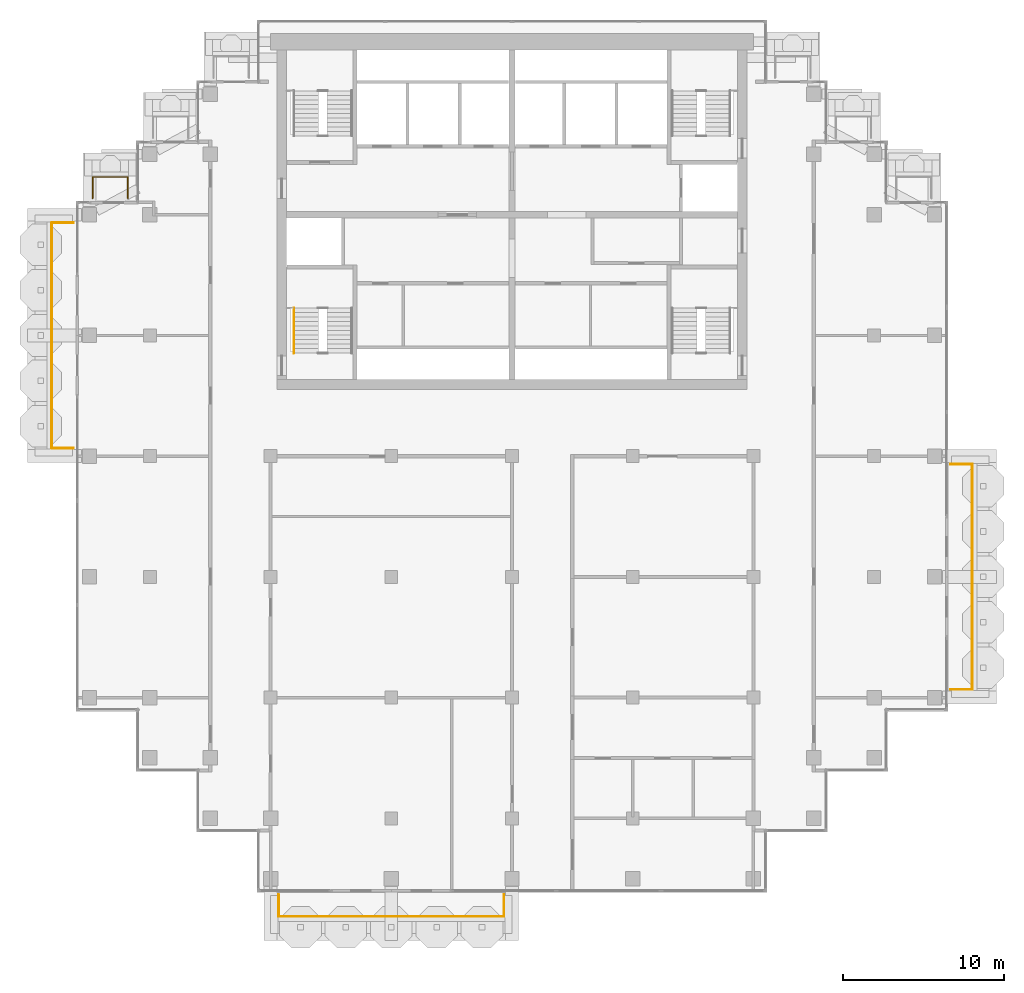
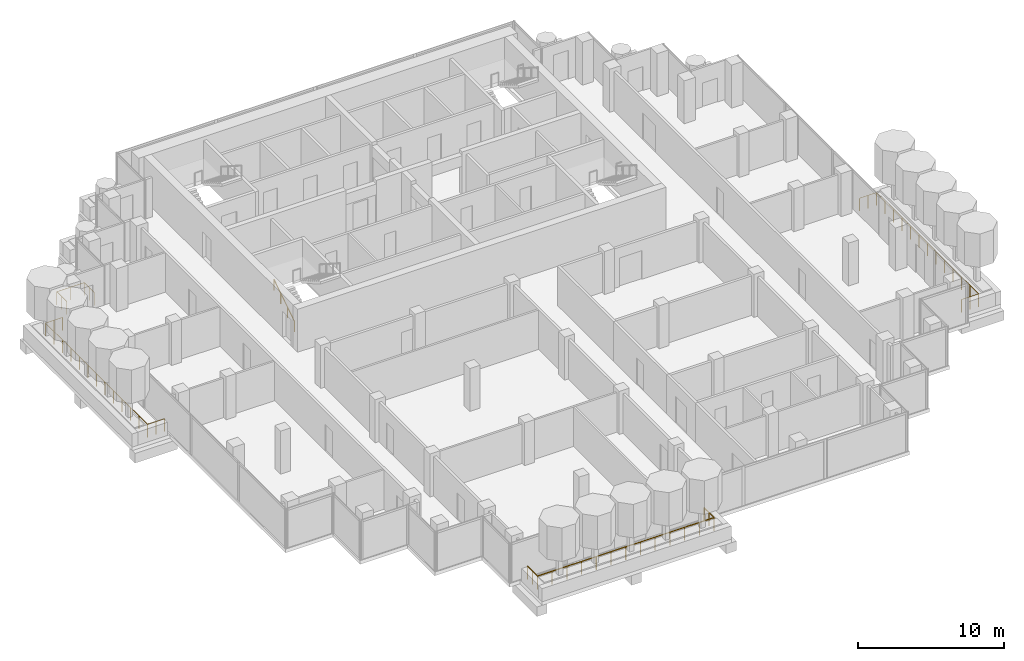
# One storey, part 16 of 18: 5 railings.
"""IFC4 building model written with IfcOpenShell, lengths in metres."""

from ifc_helpers import new_model, si_unit, direction, frame, origin, origin_2d, place, context, subcontext, project, spatial, circle, extrude, material, type_object, element, save


model = new_model("IFC4")

# Units and contexts
model_context = context("Model", 3, precision=1e-05, world=origin(), true_north=direction((0.0, 1.0)))
body_context = subcontext(model_context, "Body", "Model", "MODEL_VIEW")
ifc_project = project(units=[si_unit("LENGTHUNIT", "METRE"), si_unit("AREAUNIT", "SQUARE_METRE"), si_unit("VOLUMEUNIT", "CUBIC_METRE"), si_unit("PLANEANGLEUNIT", "RADIAN"), si_unit("MASSUNIT", "GRAM", prefix="KILO")], contexts=[model_context])

# Site, building, storey
site_placement = place(None, origin())
site = spatial("IfcSite", under=ifc_project, at=site_placement, CompositionType="ELEMENT")
building_placement = place(site_placement, origin())
building = spatial("IfcBuilding", under=site, at=building_placement, Name="Pilkhan Gate Tower", CompositionType="ELEMENT")
storey_placement = place(building_placement, frame((0.0, 0.0, 228.300048828125)))
storey = spatial("IfcBuildingStorey", under=building, at=storey_placement, Name="L59", CompositionType="ELEMENT", Elevation=228.300048828125)

# Railings
ifc_material_1 = material(Name="Pale anodised aluminium posts, laminated glass infill", Category="aluminium")
railing_type_1 = type_object("IfcRailingType", Name="Balcony guard G1", PredefinedType="BALUSTRADE", material=ifc_material_1)
railing_1_placement = place(storey_placement, frame((60.5, 40.25, 0.0)))
element("IfcRailing", 1, at=railing_1_placement, inside=storey, type_object=railing_type_1, Name="Balcony guard L59 S", PredefinedType="BALUSTRADE", context=body_context, shape_type="SweptSolid", body=[
    extrude(circle(Radius=0.02392578125, at=origin_2d()), frame((0.0, 0.0, 1.076171875), z_axis=(0.0, -1.0, 0.0), x_axis=(1.0, 0.0, 0.0)), (0.0, 0.0, 1.0), 1.35009765625),
    extrude(circle(Radius=0.02392578125, at=origin_2d()), frame((0.0, -1.35009765625, 1.076171875), z_axis=(1.0, 0.0, 0.0), x_axis=(0.0, 1.0, 0.0)), (0.0, 0.0, 1.0), 14.0),
    extrude(circle(Radius=0.02392578125, at=origin_2d()), frame((14.0, -1.35009765625, 1.076171875), z_axis=(0.0, 1.0, 0.0), x_axis=(-1.0, 0.0, 0.0)), (0.0, 0.0, 1.0), 1.35009765625),
    extrude(circle(Radius=0.02099609375, at=origin_2d()), origin(), (0.0, 0.0, 1.0), 1.052001953125),
    extrude(circle(Radius=0.02099609375, at=origin_2d()), frame((0.0, -0.675048828125, 0.0)), (0.0, 0.0, 1.0), 1.052001953125),
    extrude(circle(Radius=0.02099609375, at=origin_2d()), frame((0.0, -1.35009765625, 0.0)), (0.0, 0.0, 1.0), 1.052001953125),
    extrude(circle(Radius=0.02099609375, at=origin_2d()), frame((1.166748046875, -1.35009765625, 0.0)), (0.0, 0.0, 1.0), 1.052001953125),
    extrude(circle(Radius=0.02099609375, at=origin_2d()), frame((2.333251953125, -1.35009765625, 0.0)), (0.0, 0.0, 1.0), 1.052001953125),
    extrude(circle(Radius=0.02099609375, at=origin_2d()), frame((3.5, -1.35009765625, 0.0)), (0.0, 0.0, 1.0), 1.052001953125),
    extrude(circle(Radius=0.02099609375, at=origin_2d()), frame((4.666748046875, -1.35009765625, 0.0)), (0.0, 0.0, 1.0), 1.052001953125),
    extrude(circle(Radius=0.02099609375, at=origin_2d()), frame((5.833251953125, -1.35009765625, 0.0)), (0.0, 0.0, 1.0), 1.052001953125),
    extrude(circle(Radius=0.02099609375, at=origin_2d()), frame((7.0, -1.35009765625, 0.0)), (0.0, 0.0, 1.0), 1.052001953125),
    extrude(circle(Radius=0.02099609375, at=origin_2d()), frame((8.166748046875, -1.35009765625, 0.0)), (0.0, 0.0, 1.0), 1.052001953125),
    extrude(circle(Radius=0.02099609375, at=origin_2d()), frame((9.333251953125, -1.35009765625, 0.0)), (0.0, 0.0, 1.0), 1.052001953125),
    extrude(circle(Radius=0.02099609375, at=origin_2d()), frame((10.5, -1.35009765625, 0.0)), (0.0, 0.0, 1.0), 1.052001953125),
    extrude(circle(Radius=0.02099609375, at=origin_2d()), frame((11.666748046875, -1.35009765625, 0.0)), (0.0, 0.0, 1.0), 1.052001953125),
    extrude(circle(Radius=0.02099609375, at=origin_2d()), frame((12.833251953125, -1.35009765625, 0.0)), (0.0, 0.0, 1.0), 1.052001953125),
    extrude(circle(Radius=0.02099609375, at=origin_2d()), frame((14.0, -1.35009765625, 0.0)), (0.0, 0.0, 1.0), 1.052001953125),
    extrude(circle(Radius=0.02099609375, at=origin_2d()), frame((14.0, -0.675048828125, 0.0)), (0.0, 0.0, 1.0), 1.052001953125),
    extrude(circle(Radius=0.02099609375, at=origin_2d()), frame((14.0, 0.0, 0.0)), (0.0, 0.0, 1.0), 1.052001953125),
])
railing_2_placement = place(storey_placement, frame((102.25, 53.0, 0.0)))
element("IfcRailing", 2, at=railing_2_placement, inside=storey, type_object=railing_type_1, Name="Balcony guard L59 E", PredefinedType="BALUSTRADE", context=body_context, shape_type="SweptSolid", body=[
    extrude(circle(Radius=0.02392578125, at=origin_2d()), frame((0.0, 0.0, 1.076171875), z_axis=(1.0, 0.0, 0.0), x_axis=(0.0, 1.0, 0.0)), (0.0, 0.0, 1.0), 1.35009765625),
    extrude(circle(Radius=0.02392578125, at=origin_2d()), frame((1.35009765625, 0.0, 1.076171875), z_axis=(0.0, 1.0, 0.0), x_axis=(-1.0, 0.0, 0.0)), (0.0, 0.0, 1.0), 14.0),
    extrude(circle(Radius=0.02392578125, at=origin_2d()), frame((1.35009765625, 14.0, 1.076171875), z_axis=(-1.0, 0.0, 0.0), x_axis=(0.0, -1.0, 0.0)), (0.0, 0.0, 1.0), 1.35009765625),
    extrude(circle(Radius=0.02099609375, at=origin_2d()), origin(), (0.0, 0.0, 1.0), 1.052001953125),
    extrude(circle(Radius=0.02099609375, at=origin_2d()), frame((0.675048828125, 0.0, 0.0)), (0.0, 0.0, 1.0), 1.052001953125),
    extrude(circle(Radius=0.02099609375, at=origin_2d()), frame((1.35009765625, 0.0, 0.0)), (0.0, 0.0, 1.0), 1.052001953125),
    extrude(circle(Radius=0.02099609375, at=origin_2d()), frame((1.35009765625, 1.166748046875, 0.0)), (0.0, 0.0, 1.0), 1.052001953125),
    extrude(circle(Radius=0.02099609375, at=origin_2d()), frame((1.35009765625, 2.333251953125, 0.0)), (0.0, 0.0, 1.0), 1.052001953125),
    extrude(circle(Radius=0.02099609375, at=origin_2d()), frame((1.35009765625, 3.5, 0.0)), (0.0, 0.0, 1.0), 1.052001953125),
    extrude(circle(Radius=0.02099609375, at=origin_2d()), frame((1.35009765625, 4.666748046875, 0.0)), (0.0, 0.0, 1.0), 1.052001953125),
    extrude(circle(Radius=0.02099609375, at=origin_2d()), frame((1.35009765625, 5.833251953125, 0.0)), (0.0, 0.0, 1.0), 1.052001953125),
    extrude(circle(Radius=0.02099609375, at=origin_2d()), frame((1.35009765625, 7.0, 0.0)), (0.0, 0.0, 1.0), 1.052001953125),
    extrude(circle(Radius=0.02099609375, at=origin_2d()), frame((1.35009765625, 8.166748046875, 0.0)), (0.0, 0.0, 1.0), 1.052001953125),
    extrude(circle(Radius=0.02099609375, at=origin_2d()), frame((1.35009765625, 9.333251953125, 0.0)), (0.0, 0.0, 1.0), 1.052001953125),
    extrude(circle(Radius=0.02099609375, at=origin_2d()), frame((1.35009765625, 10.5, 0.0)), (0.0, 0.0, 1.0), 1.052001953125),
    extrude(circle(Radius=0.02099609375, at=origin_2d()), frame((1.35009765625, 11.666748046875, 0.0)), (0.0, 0.0, 1.0), 1.052001953125),
    extrude(circle(Radius=0.02099609375, at=origin_2d()), frame((1.35009765625, 12.833251953125, 0.0)), (0.0, 0.0, 1.0), 1.052001953125),
    extrude(circle(Radius=0.02099609375, at=origin_2d()), frame((1.35009765625, 14.0, 0.0)), (0.0, 0.0, 1.0), 1.052001953125),
    extrude(circle(Radius=0.02099609375, at=origin_2d()), frame((0.675048828125, 14.0, 0.0)), (0.0, 0.0, 1.0), 1.052001953125),
    extrude(circle(Radius=0.02099609375, at=origin_2d()), frame((0.0, 14.0, 0.0)), (0.0, 0.0, 1.0), 1.052001953125),
])
railing_3_placement = place(storey_placement, frame((48.949951171875, 83.52001953125, 0.0)))
element("IfcRailing", 3, at=railing_3_placement, inside=storey, type_object=railing_type_1, Name="Balcony guard L59 N", PredefinedType="BALUSTRADE", context=body_context, shape_type="SweptSolid", body=[
    extrude(circle(Radius=0.02392578125, at=origin_2d()), frame((0.0, 0.0, 1.076171875), z_axis=(0.0, 1.0, 0.0), x_axis=(-1.0, 0.0, 0.0)), (0.0, 0.0, 1.0), 1.330078125),
    extrude(circle(Radius=0.02392578125, at=origin_2d()), frame((0.0, 1.330078125, 1.076171875), z_axis=(1.0, 0.0, 0.0), x_axis=(0.0, 1.0, 0.0)), (0.0, 0.0, 1.0), 2.179931640625),
    extrude(circle(Radius=0.02392578125, at=origin_2d()), frame((2.179931640625, 1.330078125, 1.076171875), z_axis=(0.0, -1.0, 0.0), x_axis=(1.0, 0.0, 0.0)), (0.0, 0.0, 1.0), 1.330078125),
    extrude(circle(Radius=0.02099609375, at=origin_2d()), origin(), (0.0, 0.0, 1.0), 1.052001953125),
    extrude(circle(Radius=0.02099609375, at=origin_2d()), frame((0.0, 0.6650390625, 0.0)), (0.0, 0.0, 1.0), 1.052001953125),
    extrude(circle(Radius=0.02099609375, at=origin_2d()), frame((0.0, 1.330078125, 0.0)), (0.0, 0.0, 1.0), 1.052001953125),
    extrude(circle(Radius=0.02099609375, at=origin_2d()), frame((1.08984375, 1.330078125, 0.0)), (0.0, 0.0, 1.0), 1.052001953125),
    extrude(circle(Radius=0.02099609375, at=origin_2d()), frame((2.179931640625, 1.330078125, 0.0)), (0.0, 0.0, 1.0), 1.052001953125),
    extrude(circle(Radius=0.02099609375, at=origin_2d()), frame((2.179931640625, 0.6650390625, 0.0)), (0.0, 0.0, 1.0), 1.052001953125),
    extrude(circle(Radius=0.02099609375, at=origin_2d()), frame((2.179931640625, 0.0, 0.0)), (0.0, 0.0, 1.0), 1.052001953125),
])
railing_4_placement = place(storey_placement, frame((47.75, 68.0, 0.0)))
element("IfcRailing", 4, at=railing_4_placement, inside=storey, type_object=railing_type_1, Name="Balcony guard L59 W", PredefinedType="BALUSTRADE", context=body_context, shape_type="SweptSolid", body=[
    extrude(circle(Radius=0.02392578125, at=origin_2d()), frame((0.0, 0.0, 1.076171875), z_axis=(-1.0, 0.0, 0.0), x_axis=(0.0, -1.0, 0.0)), (0.0, 0.0, 1.0), 1.35009765625),
    extrude(circle(Radius=0.02392578125, at=origin_2d()), frame((-1.35009765625, 0.0, 1.076171875), z_axis=(0.0, 1.0, 0.0), x_axis=(-1.0, 0.0, 0.0)), (0.0, 0.0, 1.0), 14.0),
    extrude(circle(Radius=0.02392578125, at=origin_2d()), frame((-1.35009765625, 14.0, 1.076171875), z_axis=(1.0, 0.0, 0.0), x_axis=(0.0, 1.0, 0.0)), (0.0, 0.0, 1.0), 1.35009765625),
    extrude(circle(Radius=0.02099609375, at=origin_2d()), origin(), (0.0, 0.0, 1.0), 1.052001953125),
    extrude(circle(Radius=0.02099609375, at=origin_2d()), frame((-0.675048828125, 0.0, 0.0)), (0.0, 0.0, 1.0), 1.052001953125),
    extrude(circle(Radius=0.02099609375, at=origin_2d()), frame((-1.35009765625, 0.0, 0.0)), (0.0, 0.0, 1.0), 1.052001953125),
    extrude(circle(Radius=0.02099609375, at=origin_2d()), frame((-1.35009765625, 1.166748046875, 0.0)), (0.0, 0.0, 1.0), 1.052001953125),
    extrude(circle(Radius=0.02099609375, at=origin_2d()), frame((-1.35009765625, 2.333251953125, 0.0)), (0.0, 0.0, 1.0), 1.052001953125),
    extrude(circle(Radius=0.02099609375, at=origin_2d()), frame((-1.35009765625, 3.5, 0.0)), (0.0, 0.0, 1.0), 1.052001953125),
    extrude(circle(Radius=0.02099609375, at=origin_2d()), frame((-1.35009765625, 4.666748046875, 0.0)), (0.0, 0.0, 1.0), 1.052001953125),
    extrude(circle(Radius=0.02099609375, at=origin_2d()), frame((-1.35009765625, 5.833251953125, 0.0)), (0.0, 0.0, 1.0), 1.052001953125),
    extrude(circle(Radius=0.02099609375, at=origin_2d()), frame((-1.35009765625, 7.0, 0.0)), (0.0, 0.0, 1.0), 1.052001953125),
    extrude(circle(Radius=0.02099609375, at=origin_2d()), frame((-1.35009765625, 8.166748046875, 0.0)), (0.0, 0.0, 1.0), 1.052001953125),
    extrude(circle(Radius=0.02099609375, at=origin_2d()), frame((-1.35009765625, 9.333251953125, 0.0)), (0.0, 0.0, 1.0), 1.052001953125),
    extrude(circle(Radius=0.02099609375, at=origin_2d()), frame((-1.35009765625, 10.5, 0.0)), (0.0, 0.0, 1.0), 1.052001953125),
    extrude(circle(Radius=0.02099609375, at=origin_2d()), frame((-1.35009765625, 11.666748046875, 0.0)), (0.0, 0.0, 1.0), 1.052001953125),
    extrude(circle(Radius=0.02099609375, at=origin_2d()), frame((-1.35009765625, 12.833251953125, 0.0)), (0.0, 0.0, 1.0), 1.052001953125),
    extrude(circle(Radius=0.02099609375, at=origin_2d()), frame((-1.35009765625, 14.0, 0.0)), (0.0, 0.0, 1.0), 1.052001953125),
    extrude(circle(Radius=0.02099609375, at=origin_2d()), frame((-0.675048828125, 14.0, 0.0)), (0.0, 0.0, 1.0), 1.052001953125),
    extrude(circle(Radius=0.02099609375, at=origin_2d()), frame((0.0, 14.0, 0.0)), (0.0, 0.0, 1.0), 1.052001953125),
])
ifc_material_2 = material(Name="Black powder-coated steel tube", Category="steel")
railing_type_2 = type_object("IfcRailingType", Name="Stair handrail HR1", PredefinedType="HANDRAIL", material=ifc_material_2)
railing_5_placement = place(storey_placement, frame((61.449951171875, 73.89990234375, 0.0)))
element("IfcRailing", 5, at=railing_5_placement, inside=storey, type_object=railing_type_2, Name="Stair ST2 handrail L59", PredefinedType="HANDRAIL", context=body_context, shape_type="SweptSolid", body=[
    extrude(circle(Radius=0.02392578125, at=origin_2d()), frame((0.0, 0.0, 0.8759765625), z_axis=(0.0, 0.841176092368, 0.540761298198), x_axis=(-1.0, 0.0, 0.0)), (0.0, 0.0, 1.0), 3.32861328125),
    extrude(circle(Radius=0.02099609375, at=origin_2d()), origin(), (0.0, 0.0, 1.0), 0.851806640625),
    extrude(circle(Radius=0.02099609375, at=origin_2d()), frame((0.0, 0.933349609375, 0.60009765625)), (0.0, 0.0, 1.0), 0.851806640625),
    extrude(circle(Radius=0.02099609375, at=origin_2d()), frame((0.0, 1.86669921875, 1.199951171875)), (0.0, 0.0, 1.0), 0.851806640625),
    extrude(circle(Radius=0.02099609375, at=origin_2d()), frame((0.0, 2.800048828125, 1.800048828125)), (0.0, 0.0, 1.0), 0.851806640625),
])

save(model, "model.ifc")
